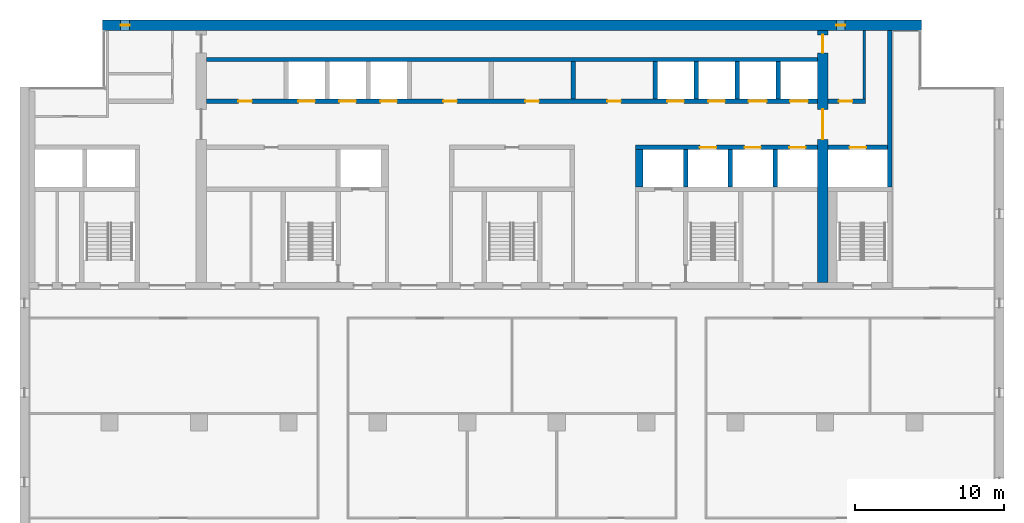
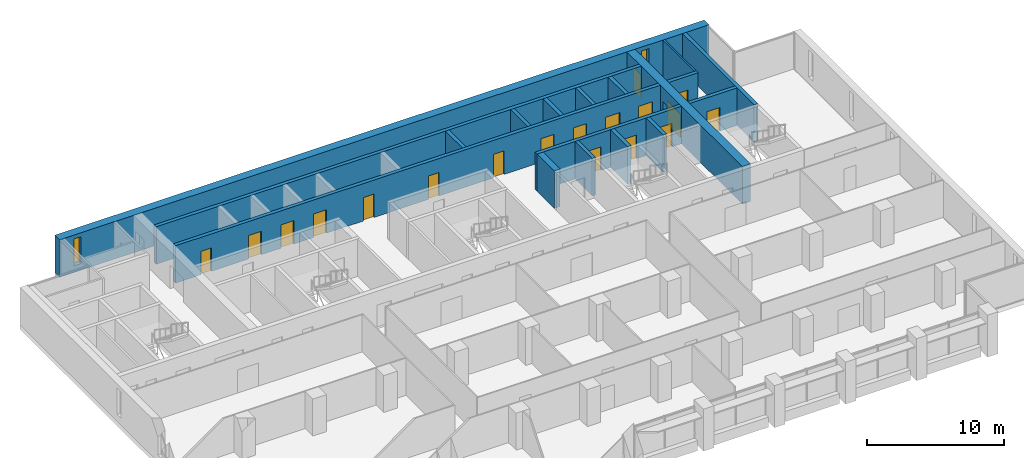
# One storey, part 11 of 17: 18 doors, 18 walls, 2 windows, 20 openings.
"""IFC4 building model written with IfcOpenShell, lengths in metres."""

from ifc_helpers import new_model, si_unit, direction, frame, frame_2d, origin, place, context, subcontext, project, spatial, rectangle, extrude, material, layer, layer_set, type_object, element, fill, save


model = new_model("IFC4")

# Units and contexts
model_context = context("Model", 3, precision=1e-05, world=origin(), true_north=direction((0.0, 1.0)))
body_context = subcontext(model_context, "Body", "Model", "MODEL_VIEW")
ifc_project = project(units=[si_unit("LENGTHUNIT", "METRE"), si_unit("AREAUNIT", "SQUARE_METRE"), si_unit("VOLUMEUNIT", "CUBIC_METRE"), si_unit("PLANEANGLEUNIT", "RADIAN"), si_unit("MASSUNIT", "GRAM", prefix="KILO")], contexts=[model_context])

# Site, building, storey
site_placement = place(None, origin())
site = spatial("IfcSite", under=ifc_project, at=site_placement, CompositionType="ELEMENT")
building_placement = place(site_placement, origin())
building = spatial("IfcBuilding", under=site, at=building_placement, Name="Calvaro Tower", CompositionType="ELEMENT")
storey_placement = place(building_placement, frame((0.0, 0.0, 185.5)))
storey = spatial("IfcBuildingStorey", under=building, at=storey_placement, Name="L46", CompositionType="ELEMENT", Elevation=185.5)

# Walls
ifc_material_1 = material(Name="Blockwork partition", Category="masonry")
ifc_layer_1 = layer(ifc_material_1, 0.14990234375)
ifc_layer_set_1 = layer_set([ifc_layer_1], Name="Blockwork partition")
wall_type_1 = type_object("IfcWallType", Name="Core partition 150 REI 120", PredefinedType="PARTITIONING", material=ifc_layer_set_1)
wall_1_placement = place(storey_placement, frame((62.625, 40.699951171875, 0.0), z_axis=(0.0, 0.0, 1.0), x_axis=(0.0, 1.0, 0.0)))
element("IfcWall", 1, at=wall_1_placement, inside=storey, type_object=wall_type_1, Name="Core partition", PredefinedType="PARTITIONING", context=body_context, shape_type="SweptSolid", body=[
    extrude(rectangle(XDim=4.60009765625, YDim=0.14990234375, at=frame_2d((2.300048828125, 0.0))), origin(), (0.0, 0.0, 1.0), 3.35009765625),
])
ifc_material_2 = material(Name="Blockwork partition", Category="masonry")
ifc_layer_2 = layer(ifc_material_2, 0.300048828125)
ifc_layer_set_2 = layer_set([ifc_layer_2], Name="Blockwork partition")
wall_type_2 = type_object("IfcWallType", Name="Core partition 300 EI 60", PredefinedType="PARTITIONING", material=ifc_layer_set_2)
wall_2_placement = place(storey_placement, frame((43.10009765625, 40.699951171875, 0.0), z_axis=(0.0, 0.0, 1.0), x_axis=(0.0, 1.0, 0.0)))
element("IfcWall", 2, at=wall_2_placement, inside=storey, type_object=wall_type_2, Name="Core partition", PredefinedType="PARTITIONING", context=body_context, shape_type="SweptSolid", body=[
    extrude(rectangle(XDim=2.5, YDim=0.300048828125, at=frame_2d((1.25, 0.0))), origin(), (0.0, 0.0, 1.0), 3.35009765625),
])

# Wall, opening, door
ifc_material_3 = material(Name="Blockwork partition", Category="masonry")
ifc_layer_3 = layer(ifc_material_3, 0.300048828125)
ifc_layer_set_3 = layer_set([ifc_layer_3], Name="Blockwork partition")
wall_type_3 = type_object("IfcWallType", Name="Core partition 300 REI 120", PredefinedType="PARTITIONING", material=ifc_layer_set_3)
wall_3_placement = place(storey_placement, frame((60.199951171875, 40.550048828125, 0.0), z_axis=(0.0, 0.0, 1.0), x_axis=(1.0, 0.0, 0.0)))
wall_3 = element("IfcWall", 3, at=wall_3_placement, inside=storey, type_object=wall_type_3, Name="Core partition", PredefinedType="PARTITIONING", context=body_context, shape_type="SweptSolid", body=[
    extrude(rectangle(XDim=2.5, YDim=0.300048828125, at=frame_2d((1.25, 0.0))), origin(), (0.0, 0.0, 1.0), 3.35009765625),
])
opening_1_placement = place(wall_3_placement, frame((0.72509765625, 0.0, 0.0)))
opening_1 = element("IfcOpeningElement", 4, at=opening_1_placement, cuts=wall_3, Name="Opening RD9E", PredefinedType="OPENING", context=body_context, shape_type="SweptSolid", body=[
    extrude(rectangle(XDim=0.89990234375, YDim=2.10009765625, at=frame_2d((0.449951171875, 1.050048828125))), frame((0.0, 0.159912109375, 0.0), z_axis=(0.0, -1.0, 0.0), x_axis=(1.0, 0.0, 0.0)), (0.0, 0.0, 1.0), 0.320068359375),
])
ifc_material_4 = material(Name="Steel door set", Category="steel")
door_type_1 = type_object("IfcDoorType", Name="Room door 900 FD60", OperationType="SINGLE_SWING_LEFT", PredefinedType="DOOR", material=ifc_material_4)
door_1_placement = place(opening_1_placement, origin())
door_1 = element("IfcDoor", 5, at=door_1_placement, inside=storey, type_object=door_type_1, Name="Room door", OperationType="SINGLE_SWING_LEFT", OverallHeight=2.10009765625, OverallWidth=0.89990234375, PredefinedType="DOOR", context=body_context, shape_type="SweptSolid", body=[
    extrude(rectangle(XDim=0.89990234375, YDim=2.10009765625, at=frame_2d((0.449951171875, 1.050048828125))), frame((0.0, 0.02490234375, 0.0), z_axis=(0.0, -1.0, 0.0), x_axis=(1.0, 0.0, 0.0)), (0.0, 0.0, 1.0), 0.050048828125),
])
fill(opening_1, door_1)

# Wall
ifc_material_5 = material(Name="Concrete C50/60", Category="concrete")
ifc_layer_4 = layer(ifc_material_5, 0.300048828125)
ifc_layer_set_4 = layer_set([ifc_layer_4], Name="Concrete C50/60")
wall_type_4 = type_object("IfcWallType", Name="Core wall C50/60 300", PredefinedType="SHEAR", material=ifc_layer_set_4)
wall_4_placement = place(storey_placement, frame((64.35009765625, 34.800048828125, 0.0), z_axis=(0.0, 0.0, 1.0), x_axis=(0.0, 1.0, 0.0)))
element("IfcWall", 6, at=wall_4_placement, inside=storey, type_object=wall_type_4, Name="Core wall, boundary", PredefinedType="SHEAR", context=body_context, shape_type="SweptSolid", body=[
    extrude(rectangle(XDim=10.5, YDim=0.300048828125, at=frame_2d((5.25, 0.0))), origin(), (0.0, 0.0, 1.0), 3.35009765625),
])

# Wall, openings, doors
wall_5_placement = place(storey_placement, frame((47.300048828125, 37.449951171875, 0.0), z_axis=(0.0, 0.0, 1.0), x_axis=(1.0, 0.0, 0.0)))
wall_5 = element("IfcWall", 7, at=wall_5_placement, inside=storey, type_object=wall_type_4, Name="Core wall, lift shaft", PredefinedType="SHEAR", context=body_context, shape_type="SweptSolid", body=[
    extrude(rectangle(XDim=12.199951171875, YDim=0.300048828125, at=frame_2d((6.10009765625, 0.0))), origin(), (0.0, 0.0, 1.0), 3.35009765625),
])
opening_2_placement = place(wall_5_placement, frame((4.300048828125, 0.0, 0.0)))
opening_2 = element("IfcOpeningElement", 8, at=opening_2_placement, cuts=wall_5, Name="Opening HR1", PredefinedType="OPENING", context=body_context, shape_type="SweptSolid", body=[
    extrude(rectangle(XDim=1.10009765625, YDim=2.10009765625, at=frame_2d((0.550048828125, 1.050048828125))), frame((0.0, 0.159912109375, 0.0), z_axis=(0.0, -1.0, 0.0), x_axis=(1.0, 0.0, 0.0)), (0.0, 0.0, 1.0), 0.320068359375),
])
opening_3_placement = place(wall_5_placement, frame((7.300048828125, 0.0, 0.0)))
opening_3 = element("IfcOpeningElement", 9, at=opening_3_placement, cuts=wall_5, Name="Opening HR2", PredefinedType="OPENING", context=body_context, shape_type="SweptSolid", body=[
    extrude(rectangle(XDim=1.10009765625, YDim=2.10009765625, at=frame_2d((0.550048828125, 1.050048828125))), frame((0.0, 0.159912109375, 0.0), z_axis=(0.0, -1.0, 0.0), x_axis=(1.0, 0.0, 0.0)), (0.0, 0.0, 1.0), 0.320068359375),
])
opening_4_placement = place(wall_5_placement, frame((10.300048828125, 0.0, 0.0)))
opening_4 = element("IfcOpeningElement", 10, at=opening_4_placement, cuts=wall_5, Name="Opening HR3", PredefinedType="OPENING", context=body_context, shape_type="SweptSolid", body=[
    extrude(rectangle(XDim=1.10009765625, YDim=2.10009765625, at=frame_2d((0.550048828125, 1.050048828125))), frame((0.0, 0.159912109375, 0.0), z_axis=(0.0, -1.0, 0.0), x_axis=(1.0, 0.0, 0.0)), (0.0, 0.0, 1.0), 0.320068359375),
])
ifc_material_6 = material(Name="Stainless steel", Category="steel")
door_type_2 = type_object("IfcDoorType", Name="Landing door 1100 E 60", OperationType="SLIDING_TO_LEFT", PredefinedType="DOOR", material=ifc_material_6)
door_2_placement = place(opening_2_placement, origin())
door_2 = element("IfcDoor", 11, at=door_2_placement, inside=storey, type_object=door_type_2, Name="Landing door HR1", OperationType="SLIDING_TO_LEFT", OverallHeight=2.10009765625, OverallWidth=1.10009765625, PredefinedType="DOOR", context=body_context, shape_type="SweptSolid", body=[
    extrude(rectangle(XDim=1.10009765625, YDim=2.10009765625, at=frame_2d((0.550048828125, 1.050048828125))), frame((0.0, 0.02490234375, 0.0), z_axis=(0.0, -1.0, 0.0), x_axis=(1.0, 0.0, 0.0)), (0.0, 0.0, 1.0), 0.050048828125),
])
fill(opening_2, door_2)
door_3_placement = place(opening_3_placement, origin())
door_3 = element("IfcDoor", 12, at=door_3_placement, inside=storey, type_object=door_type_2, Name="Landing door HR2", OperationType="SLIDING_TO_LEFT", OverallHeight=2.10009765625, OverallWidth=1.10009765625, PredefinedType="DOOR", context=body_context, shape_type="SweptSolid", body=[
    extrude(rectangle(XDim=1.10009765625, YDim=2.10009765625, at=frame_2d((0.550048828125, 1.050048828125))), frame((0.0, 0.02490234375, 0.0), z_axis=(0.0, -1.0, 0.0), x_axis=(1.0, 0.0, 0.0)), (0.0, 0.0, 1.0), 0.050048828125),
])
fill(opening_3, door_3)
door_4_placement = place(opening_4_placement, origin())
door_4 = element("IfcDoor", 13, at=door_4_placement, inside=storey, type_object=door_type_2, Name="Landing door HR3", OperationType="SLIDING_TO_LEFT", OverallHeight=2.10009765625, OverallWidth=1.10009765625, PredefinedType="DOOR", context=body_context, shape_type="SweptSolid", body=[
    extrude(rectangle(XDim=1.10009765625, YDim=2.10009765625, at=frame_2d((0.550048828125, 1.050048828125))), frame((0.0, 0.02490234375, 0.0), z_axis=(0.0, -1.0, 0.0), x_axis=(1.0, 0.0, 0.0)), (0.0, 0.0, 1.0), 0.050048828125),
])
fill(opening_4, door_4)

# Wall, opening, door
wall_6_placement = place(storey_placement, frame((60.199951171875, 37.449951171875, 0.0), z_axis=(0.0, 0.0, 1.0), x_axis=(1.0, 0.0, 0.0)))
wall_6 = element("IfcWall", 14, at=wall_6_placement, inside=storey, type_object=wall_type_4, Name="Core wall, lift shaft", PredefinedType="SHEAR", context=body_context, shape_type="SweptSolid", body=[
    extrude(rectangle(XDim=4.0, YDim=0.300048828125, at=frame_2d((2.0, 0.0))), origin(), (0.0, 0.0, 1.0), 3.35009765625),
])
opening_5_placement = place(wall_6_placement, frame((1.449951171875, 0.0, 0.0)))
opening_5 = element("IfcOpeningElement", 15, at=opening_5_placement, cuts=wall_6, Name="Opening FF3", PredefinedType="OPENING", context=body_context, shape_type="SweptSolid", body=[
    extrude(rectangle(XDim=1.10009765625, YDim=2.10009765625, at=frame_2d((0.550048828125, 1.050048828125))), frame((0.0, 0.159912109375, 0.0), z_axis=(0.0, -1.0, 0.0), x_axis=(1.0, 0.0, 0.0)), (0.0, 0.0, 1.0), 0.320068359375),
])
door_5_placement = place(opening_5_placement, origin())
door_5 = element("IfcDoor", 16, at=door_5_placement, inside=storey, type_object=door_type_2, Name="Landing door FF3", OperationType="SLIDING_TO_LEFT", OverallHeight=2.10009765625, OverallWidth=1.10009765625, PredefinedType="DOOR", context=body_context, shape_type="SweptSolid", body=[
    extrude(rectangle(XDim=1.10009765625, YDim=2.10009765625, at=frame_2d((0.550048828125, 1.050048828125))), frame((0.0, 0.02490234375, 0.0), z_axis=(0.0, -1.0, 0.0), x_axis=(1.0, 0.0, 0.0)), (0.0, 0.0, 1.0), 0.050048828125),
])
fill(opening_5, door_5)

# Wall
wall_7_placement = place(storey_placement, frame((50.64990234375, 34.800048828125, 0.0), z_axis=(0.0, 0.0, 1.0), x_axis=(0.0, 1.0, 0.0)))
element("IfcWall", 17, at=wall_7_placement, inside=storey, type_object=wall_type_4, Name="Core wall, lift shaft", PredefinedType="SHEAR", context=body_context, shape_type="SweptSolid", body=[
    extrude(rectangle(XDim=2.5, YDim=0.300048828125, at=frame_2d((1.25, 0.0))), origin(), (0.0, 0.0, 1.0), 3.35009765625),
])

# Wall, openings, doors
wall_8_placement = place(storey_placement, frame((18.5, 40.550048828125, 0.0), z_axis=(0.0, 0.0, 1.0), x_axis=(1.0, 0.0, 0.0)))
wall_8 = element("IfcWall", 18, at=wall_8_placement, inside=storey, type_object=wall_type_4, Name="Core wall, bay", PredefinedType="SHEAR", context=body_context, shape_type="SweptSolid", body=[
    extrude(rectangle(XDim=41.0, YDim=0.300048828125, at=frame_2d((20.5, 0.0))), origin(), (0.0, 0.0, 1.0), 3.35009765625),
])
opening_6_placement = place(wall_8_placement, frame((2.14990234375, 0.0, 0.0)))
opening_6 = element("IfcOpeningElement", 19, at=opening_6_placement, cuts=wall_8, Name="Opening RD9E", PredefinedType="OPENING", context=body_context, shape_type="SweptSolid", body=[
    extrude(rectangle(XDim=0.89990234375, YDim=2.10009765625, at=frame_2d((0.449951171875, 1.050048828125))), frame((0.0, 0.159912109375, 0.0), z_axis=(0.0, -1.0, 0.0), x_axis=(1.0, 0.0, 0.0)), (0.0, 0.0, 1.0), 0.320068359375),
])
opening_7_placement = place(wall_8_placement, frame((15.89990234375, 0.0, 0.0)))
opening_7 = element("IfcOpeningElement", 20, at=opening_7_placement, cuts=wall_8, Name="Opening RD9E", PredefinedType="OPENING", context=body_context, shape_type="SweptSolid", body=[
    extrude(rectangle(XDim=0.89990234375, YDim=2.10009765625, at=frame_2d((0.449951171875, 1.050048828125))), frame((0.0, 0.159912109375, 0.0), z_axis=(0.0, -1.0, 0.0), x_axis=(1.0, 0.0, 0.0)), (0.0, 0.0, 1.0), 0.320068359375),
])
opening_8_placement = place(wall_8_placement, frame((21.39990234375, 0.0, 0.0)))
opening_8 = element("IfcOpeningElement", 21, at=opening_8_placement, cuts=wall_8, Name="Opening RD9E", PredefinedType="OPENING", context=body_context, shape_type="SweptSolid", body=[
    extrude(rectangle(XDim=0.89990234375, YDim=2.10009765625, at=frame_2d((0.449951171875, 1.050048828125))), frame((0.0, 0.159912109375, 0.0), z_axis=(0.0, -1.0, 0.0), x_axis=(1.0, 0.0, 0.0)), (0.0, 0.0, 1.0), 0.320068359375),
])
opening_9_placement = place(wall_8_placement, frame((26.89990234375, 0.0, 0.0)))
opening_9 = element("IfcOpeningElement", 22, at=opening_9_placement, cuts=wall_8, Name="Opening RD9C", PredefinedType="OPENING", context=body_context, shape_type="SweptSolid", body=[
    extrude(rectangle(XDim=0.89990234375, YDim=2.10009765625, at=frame_2d((0.449951171875, 1.050048828125))), frame((0.0, 0.159912109375, 0.0), z_axis=(0.0, -1.0, 0.0), x_axis=(1.0, 0.0, 0.0)), (0.0, 0.0, 1.0), 0.320068359375),
])
opening_10_placement = place(wall_8_placement, frame((6.175048828125, 0.0, 0.0)))
opening_10 = element("IfcOpeningElement", 23, at=opening_10_placement, cuts=wall_8, Name="Opening HR4", PredefinedType="OPENING", context=body_context, shape_type="SweptSolid", body=[
    extrude(rectangle(XDim=1.10009765625, YDim=2.10009765625, at=frame_2d((0.550048828125, 1.050048828125))), frame((0.0, 0.159912109375, 0.0), z_axis=(0.0, -1.0, 0.0), x_axis=(1.0, 0.0, 0.0)), (0.0, 0.0, 1.0), 0.320068359375),
])
opening_11_placement = place(wall_8_placement, frame((8.925048828125, 0.0, 0.0)))
opening_11 = element("IfcOpeningElement", 24, at=opening_11_placement, cuts=wall_8, Name="Opening HR5", PredefinedType="OPENING", context=body_context, shape_type="SweptSolid", body=[
    extrude(rectangle(XDim=1.10009765625, YDim=2.10009765625, at=frame_2d((0.550048828125, 1.050048828125))), frame((0.0, 0.159912109375, 0.0), z_axis=(0.0, -1.0, 0.0), x_axis=(1.0, 0.0, 0.0)), (0.0, 0.0, 1.0), 0.320068359375),
])
opening_12_placement = place(wall_8_placement, frame((11.675048828125, 0.0, 0.0)))
opening_12 = element("IfcOpeningElement", 25, at=opening_12_placement, cuts=wall_8, Name="Opening HR6", PredefinedType="OPENING", context=body_context, shape_type="SweptSolid", body=[
    extrude(rectangle(XDim=1.10009765625, YDim=2.10009765625, at=frame_2d((0.550048828125, 1.050048828125))), frame((0.0, 0.159912109375, 0.0), z_axis=(0.0, -1.0, 0.0), x_axis=(1.0, 0.0, 0.0)), (0.0, 0.0, 1.0), 0.320068359375),
])
opening_13_placement = place(wall_8_placement, frame((30.925048828125, 0.0, 0.0)))
opening_13 = element("IfcOpeningElement", 26, at=opening_13_placement, cuts=wall_8, Name="Opening HR7", PredefinedType="OPENING", context=body_context, shape_type="SweptSolid", body=[
    extrude(rectangle(XDim=1.10009765625, YDim=2.10009765625, at=frame_2d((0.550048828125, 1.050048828125))), frame((0.0, 0.159912109375, 0.0), z_axis=(0.0, -1.0, 0.0), x_axis=(1.0, 0.0, 0.0)), (0.0, 0.0, 1.0), 0.320068359375),
])
opening_14_placement = place(wall_8_placement, frame((33.675048828125, 0.0, 0.0)))
opening_14 = element("IfcOpeningElement", 27, at=opening_14_placement, cuts=wall_8, Name="Opening HR8", PredefinedType="OPENING", context=body_context, shape_type="SweptSolid", body=[
    extrude(rectangle(XDim=1.10009765625, YDim=2.10009765625, at=frame_2d((0.550048828125, 1.050048828125))), frame((0.0, 0.159912109375, 0.0), z_axis=(0.0, -1.0, 0.0), x_axis=(1.0, 0.0, 0.0)), (0.0, 0.0, 1.0), 0.320068359375),
])
opening_15_placement = place(wall_8_placement, frame((36.375, 0.0, 0.0)))
opening_15 = element("IfcOpeningElement", 28, at=opening_15_placement, cuts=wall_8, Name="Opening SV1", PredefinedType="OPENING", context=body_context, shape_type="SweptSolid", body=[
    extrude(rectangle(XDim=1.199951171875, YDim=2.10009765625, at=frame_2d((0.60009765625, 1.050048828125))), frame((0.0, 0.159912109375, 0.0), z_axis=(0.0, -1.0, 0.0), x_axis=(1.0, 0.0, 0.0)), (0.0, 0.0, 1.0), 0.320068359375),
])
opening_16_placement = place(wall_8_placement, frame((39.14990234375, 0.0, 0.0)))
opening_16 = element("IfcOpeningElement", 29, at=opening_16_placement, cuts=wall_8, Name="Opening SV2", PredefinedType="OPENING", context=body_context, shape_type="SweptSolid", body=[
    extrude(rectangle(XDim=1.199951171875, YDim=2.10009765625, at=frame_2d((0.60009765625, 1.050048828125))), frame((0.0, 0.159912109375, 0.0), z_axis=(0.0, -1.0, 0.0), x_axis=(1.0, 0.0, 0.0)), (0.0, 0.0, 1.0), 0.320068359375),
])
door_6_placement = place(opening_10_placement, origin())
door_6 = element("IfcDoor", 30, at=door_6_placement, inside=storey, type_object=door_type_2, Name="Landing door HR4", OperationType="SLIDING_TO_LEFT", OverallHeight=2.10009765625, OverallWidth=1.10009765625, PredefinedType="DOOR", context=body_context, shape_type="SweptSolid", body=[
    extrude(rectangle(XDim=1.10009765625, YDim=2.10009765625, at=frame_2d((0.550048828125, 1.050048828125))), frame((0.0, 0.02490234375, 0.0), z_axis=(0.0, -1.0, 0.0), x_axis=(1.0, 0.0, 0.0)), (0.0, 0.0, 1.0), 0.050048828125),
])
fill(opening_10, door_6)
door_7_placement = place(opening_11_placement, origin())
door_7 = element("IfcDoor", 31, at=door_7_placement, inside=storey, type_object=door_type_2, Name="Landing door HR5", OperationType="SLIDING_TO_LEFT", OverallHeight=2.10009765625, OverallWidth=1.10009765625, PredefinedType="DOOR", context=body_context, shape_type="SweptSolid", body=[
    extrude(rectangle(XDim=1.10009765625, YDim=2.10009765625, at=frame_2d((0.550048828125, 1.050048828125))), frame((0.0, 0.02490234375, 0.0), z_axis=(0.0, -1.0, 0.0), x_axis=(1.0, 0.0, 0.0)), (0.0, 0.0, 1.0), 0.050048828125),
])
fill(opening_11, door_7)
door_8_placement = place(opening_12_placement, origin())
door_8 = element("IfcDoor", 32, at=door_8_placement, inside=storey, type_object=door_type_2, Name="Landing door HR6", OperationType="SLIDING_TO_LEFT", OverallHeight=2.10009765625, OverallWidth=1.10009765625, PredefinedType="DOOR", context=body_context, shape_type="SweptSolid", body=[
    extrude(rectangle(XDim=1.10009765625, YDim=2.10009765625, at=frame_2d((0.550048828125, 1.050048828125))), frame((0.0, 0.02490234375, 0.0), z_axis=(0.0, -1.0, 0.0), x_axis=(1.0, 0.0, 0.0)), (0.0, 0.0, 1.0), 0.050048828125),
])
fill(opening_12, door_8)
door_9_placement = place(opening_13_placement, origin())
door_9 = element("IfcDoor", 33, at=door_9_placement, inside=storey, type_object=door_type_2, Name="Landing door HR7", OperationType="SLIDING_TO_LEFT", OverallHeight=2.10009765625, OverallWidth=1.10009765625, PredefinedType="DOOR", context=body_context, shape_type="SweptSolid", body=[
    extrude(rectangle(XDim=1.10009765625, YDim=2.10009765625, at=frame_2d((0.550048828125, 1.050048828125))), frame((0.0, 0.02490234375, 0.0), z_axis=(0.0, -1.0, 0.0), x_axis=(1.0, 0.0, 0.0)), (0.0, 0.0, 1.0), 0.050048828125),
])
fill(opening_13, door_9)
door_10_placement = place(opening_14_placement, origin())
door_10 = element("IfcDoor", 34, at=door_10_placement, inside=storey, type_object=door_type_2, Name="Landing door HR8", OperationType="SLIDING_TO_LEFT", OverallHeight=2.10009765625, OverallWidth=1.10009765625, PredefinedType="DOOR", context=body_context, shape_type="SweptSolid", body=[
    extrude(rectangle(XDim=1.10009765625, YDim=2.10009765625, at=frame_2d((0.550048828125, 1.050048828125))), frame((0.0, 0.02490234375, 0.0), z_axis=(0.0, -1.0, 0.0), x_axis=(1.0, 0.0, 0.0)), (0.0, 0.0, 1.0), 0.050048828125),
])
fill(opening_14, door_10)
ifc_material_7 = material(Name="Stainless steel", Category="steel")
door_type_3 = type_object("IfcDoorType", Name="Landing door 1200 E 60", OperationType="SLIDING_TO_LEFT", PredefinedType="DOOR", material=ifc_material_7)
door_11_placement = place(opening_15_placement, origin())
door_11 = element("IfcDoor", 35, at=door_11_placement, inside=storey, type_object=door_type_3, Name="Landing door SV1", OperationType="SLIDING_TO_LEFT", OverallHeight=2.10009765625, OverallWidth=1.199951171875, PredefinedType="DOOR", context=body_context, shape_type="SweptSolid", body=[
    extrude(rectangle(XDim=1.199951171875, YDim=2.10009765625, at=frame_2d((0.60009765625, 1.050048828125))), frame((0.0, 0.02490234375, 0.0), z_axis=(0.0, -1.0, 0.0), x_axis=(1.0, 0.0, 0.0)), (0.0, 0.0, 1.0), 0.050048828125),
])
fill(opening_15, door_11)
door_12_placement = place(opening_16_placement, origin())
door_12 = element("IfcDoor", 36, at=door_12_placement, inside=storey, type_object=door_type_3, Name="Landing door SV2", OperationType="SLIDING_TO_LEFT", OverallHeight=2.10009765625, OverallWidth=1.199951171875, PredefinedType="DOOR", context=body_context, shape_type="SweptSolid", body=[
    extrude(rectangle(XDim=1.199951171875, YDim=2.10009765625, at=frame_2d((0.60009765625, 1.050048828125))), frame((0.0, 0.02490234375, 0.0), z_axis=(0.0, -1.0, 0.0), x_axis=(1.0, 0.0, 0.0)), (0.0, 0.0, 1.0), 0.050048828125),
])
fill(opening_16, door_12)
ifc_material_8 = material(Name="Steel door set", Category="steel")
door_type_4 = type_object("IfcDoorType", Name="Room door 900 FD30", OperationType="SINGLE_SWING_LEFT", PredefinedType="DOOR", material=ifc_material_8)
door_13_placement = place(opening_9_placement, origin())
door_13 = element("IfcDoor", 37, at=door_13_placement, inside=storey, type_object=door_type_4, Name="Room door", OperationType="SINGLE_SWING_LEFT", OverallHeight=2.10009765625, OverallWidth=0.89990234375, PredefinedType="DOOR", context=body_context, shape_type="SweptSolid", body=[
    extrude(rectangle(XDim=0.89990234375, YDim=2.10009765625, at=frame_2d((0.449951171875, 1.050048828125))), frame((0.0, 0.02490234375, 0.0), z_axis=(0.0, -1.0, 0.0), x_axis=(1.0, 0.0, 0.0)), (0.0, 0.0, 1.0), 0.050048828125),
])
fill(opening_9, door_13)
door_14_placement = place(opening_6_placement, origin())
door_14 = element("IfcDoor", 38, at=door_14_placement, inside=storey, type_object=door_type_1, Name="Room door", OperationType="SINGLE_SWING_RIGHT", OverallHeight=2.10009765625, OverallWidth=0.89990234375, PredefinedType="DOOR", context=body_context, shape_type="SweptSolid", body=[
    extrude(rectangle(XDim=0.89990234375, YDim=2.10009765625, at=frame_2d((0.449951171875, 1.050048828125))), frame((0.0, 0.02490234375, 0.0), z_axis=(0.0, -1.0, 0.0), x_axis=(1.0, 0.0, 0.0)), (0.0, 0.0, 1.0), 0.050048828125),
])
fill(opening_6, door_14)
door_15_placement = place(opening_7_placement, origin())
door_15 = element("IfcDoor", 39, at=door_15_placement, inside=storey, type_object=door_type_1, Name="Room door", OperationType="SINGLE_SWING_LEFT", OverallHeight=2.10009765625, OverallWidth=0.89990234375, PredefinedType="DOOR", context=body_context, shape_type="SweptSolid", body=[
    extrude(rectangle(XDim=0.89990234375, YDim=2.10009765625, at=frame_2d((0.449951171875, 1.050048828125))), frame((0.0, 0.02490234375, 0.0), z_axis=(0.0, -1.0, 0.0), x_axis=(1.0, 0.0, 0.0)), (0.0, 0.0, 1.0), 0.050048828125),
])
fill(opening_7, door_15)
door_16_placement = place(opening_8_placement, origin())
door_16 = element("IfcDoor", 40, at=door_16_placement, inside=storey, type_object=door_type_1, Name="Room door", OperationType="SINGLE_SWING_LEFT", OverallHeight=2.10009765625, OverallWidth=0.89990234375, PredefinedType="DOOR", context=body_context, shape_type="SweptSolid", body=[
    extrude(rectangle(XDim=0.89990234375, YDim=2.10009765625, at=frame_2d((0.449951171875, 1.050048828125))), frame((0.0, 0.02490234375, 0.0), z_axis=(0.0, -1.0, 0.0), x_axis=(1.0, 0.0, 0.0)), (0.0, 0.0, 1.0), 0.050048828125),
])
fill(opening_8, door_16)

# Walls
wall_9_placement = place(storey_placement, frame((18.5, 43.35009765625, 0.0), z_axis=(0.0, 0.0, 1.0), x_axis=(1.0, 0.0, 0.0)))
element("IfcWall", 41, at=wall_9_placement, inside=storey, type_object=wall_type_4, Name="Core wall, lift shaft", PredefinedType="SHEAR", context=body_context, shape_type="SweptSolid", body=[
    extrude(rectangle(XDim=41.0, YDim=0.300048828125, at=frame_2d((20.5, 0.0))), origin(), (0.0, 0.0, 1.0), 3.35009765625),
])
for number, where, z_axis, x_axis, name in (
    (42, (53.64990234375, 34.800048828125, 0.0), (0.0, 0.0, 1.0), (0.0, 1.0, 0.0), "Core wall, lift shaft"),
    (43, (56.64990234375, 34.800048828125, 0.0), (0.0, 0.0, 1.0), (0.0, 1.0, 0.0), "Core wall, lift shaft"),
    (44, (48.60009765625, 40.699951171875, 0.0), (0.0, 0.0, 1.0), (0.0, 1.0, 0.0), "Core wall, lift shaft"),
    (45, (51.35009765625, 40.699951171875, 0.0), (0.0, 0.0, 1.0), (0.0, 1.0, 0.0), "Core wall, lift shaft"),
    (46, (54.10009765625, 40.699951171875, 0.0), (0.0, 0.0, 1.0), (0.0, 1.0, 0.0), "Core wall, lift shaft"),
    (47, (56.85009765625, 40.699951171875, 0.0), (0.0, 0.0, 1.0), (0.0, 1.0, 0.0), "Core wall, lift shaft"),
):
    element("IfcWall", number, at=place(storey_placement, frame(where, z_axis=z_axis, x_axis=x_axis)), inside=storey, type_object=wall_type_4, Name=name, PredefinedType="SHEAR", context=body_context, shape_type="SweptSolid", body=[
        extrude(rectangle(XDim=2.5, YDim=0.300048828125, at=frame_2d((1.25, 0.0))), origin(), (0.0, 0.0, 1.0), 3.35009765625),
    ])
ifc_material_9 = material(Name="Concrete C50/60", Category="concrete")
ifc_layer_5 = layer(ifc_material_9, 0.5)
ifc_layer_set_5 = layer_set([ifc_layer_5], Name="Concrete C50/60")
wall_type_5 = type_object("IfcWallType", Name="Core wall C50/60 500", PredefinedType="SHEAR", material=ifc_layer_set_5)
wall_10_placement = place(storey_placement, frame((47.550048828125, 34.800048828125, 0.0), z_axis=(0.0, 0.0, 1.0), x_axis=(0.0, 1.0, 0.0)))
element("IfcWall", 48, at=wall_10_placement, inside=storey, type_object=wall_type_5, Name="Core wall, lift shaft", PredefinedType="SHEAR", context=body_context, shape_type="SweptSolid", body=[
    extrude(rectangle(XDim=2.5, YDim=0.5, at=frame_2d((1.25, 0.0))), origin(), (0.0, 0.0, 1.0), 3.35009765625),
])

# Wall, openings, doors
ifc_material_10 = material(Name="Concrete C50/60", Category="concrete")
ifc_layer_6 = layer(ifc_material_10, 0.699951171875)
ifc_layer_set_6 = layer_set([ifc_layer_6], Name="Concrete C50/60")
wall_type_6 = type_object("IfcWallType", Name="Core wall C50/60 700", PredefinedType="SHEAR", material=ifc_layer_set_6)
wall_11_placement = place(storey_placement, frame((59.85009765625, 28.39990234375, 0.0), z_axis=(0.0, 0.0, 1.0), x_axis=(0.0, 1.0, 0.0)))
wall_11 = element("IfcWall", 49, at=wall_11_placement, inside=storey, type_object=wall_type_6, Name="Core wall, cross shear wall", PredefinedType="SHEAR", context=body_context, shape_type="SweptSolid", body=[
    extrude(rectangle(XDim=16.900146484375, YDim=0.699951171875, at=frame_2d((8.4501953125, 0.0))), origin(), (0.0, 0.0, 1.0), 3.35009765625),
])
opening_17_placement = place(wall_11_placement, frame((9.60009765625, 0.0, 0.0)))
opening_17 = element("IfcOpeningElement", 50, at=opening_17_placement, cuts=wall_11, Name="Opening DD20D", PredefinedType="OPENING", context=body_context, shape_type="SweptSolid", body=[
    extrude(rectangle(XDim=2.0, YDim=2.10009765625, at=frame_2d((1.0, 1.050048828125))), frame((0.0, 0.35986328125, 0.0), z_axis=(0.0, -1.0, 0.0), x_axis=(1.0, 0.0, 0.0)), (0.0, 0.0, 1.0), 0.719970703125),
])
opening_18_placement = place(wall_11_placement, frame((15.39990234375, 0.0, 0.0)))
opening_18 = element("IfcOpeningElement", 51, at=opening_18_placement, cuts=wall_11, Name="Opening FD12C", PredefinedType="OPENING", context=body_context, shape_type="SweptSolid", body=[
    extrude(rectangle(XDim=1.199951171875, YDim=2.10009765625, at=frame_2d((0.60009765625, 1.050048828125))), frame((0.0, 0.35986328125, 0.0), z_axis=(0.0, -1.0, 0.0), x_axis=(1.0, 0.0, 0.0)), (0.0, 0.0, 1.0), 0.719970703125),
])
ifc_material_11 = material(Name="Steel door set", Category="steel")
door_type_5 = type_object("IfcDoorType", Name="Fire door 1200 FD30", OperationType="SINGLE_SWING_LEFT", PredefinedType="DOOR", material=ifc_material_11)
door_17_placement = place(opening_18_placement, origin())
door_17 = element("IfcDoor", 52, at=door_17_placement, inside=storey, type_object=door_type_5, Name="Fire door", OperationType="SINGLE_SWING_LEFT", OverallHeight=2.10009765625, OverallWidth=1.199951171875, PredefinedType="DOOR", context=body_context, shape_type="SweptSolid", body=[
    extrude(rectangle(XDim=1.199951171875, YDim=2.10009765625, at=frame_2d((0.60009765625, 1.050048828125))), frame((0.0, 0.02490234375, 0.0), z_axis=(0.0, -1.0, 0.0), x_axis=(1.0, 0.0, 0.0)), (0.0, 0.0, 1.0), 0.050048828125),
])
fill(opening_18, door_17)
ifc_material_12 = material(Name="Steel door set", Category="steel")
door_type_6 = type_object("IfcDoorType", Name="Lobby double door 2000 FD30S", OperationType="DOUBLE_DOOR_SINGLE_SWING", PredefinedType="DOOR", material=ifc_material_12)
door_18_placement = place(opening_17_placement, origin())
door_18 = element("IfcDoor", 53, at=door_18_placement, inside=storey, type_object=door_type_6, Name="Lobby double door", OperationType="DOUBLE_DOOR_SINGLE_SWING", OverallHeight=2.10009765625, OverallWidth=2.0, PredefinedType="DOOR", context=body_context, shape_type="SweptSolid", body=[
    extrude(rectangle(XDim=2.0, YDim=2.10009765625, at=frame_2d((1.0, 1.050048828125))), frame((0.0, 0.02490234375, 0.0), z_axis=(0.0, -1.0, 0.0), x_axis=(1.0, 0.0, 0.0)), (0.0, 0.0, 1.0), 0.050048828125),
])
fill(opening_17, door_18)

# Wall, openings, windows
ifc_material_13 = material(Name="Concrete C50/60", Category="concrete")
ifc_layer_7 = layer(ifc_material_13, 0.699951171875)
ifc_layer_set_7 = layer_set([ifc_layer_7], Name="Concrete C50/60")
wall_type_7 = type_object("IfcWallType", Name="Rear core wall 700 C50/60", PredefinedType="SHEAR", material=ifc_layer_set_7)
wall_12_placement = place(storey_placement, frame((11.550048828125, 45.64990234375, 0.0), z_axis=(0.0, 0.0, 1.0), x_axis=(1.0, 0.0, 0.0)))
wall_12 = element("IfcWall", 54, at=wall_12_placement, inside=storey, type_object=wall_type_7, Name="North core wall", PredefinedType="SHEAR", context=body_context, shape_type="SweptSolid", body=[
    extrude(rectangle(XDim=54.89990234375, YDim=0.699951171875, at=frame_2d((27.449951171875, 0.0))), origin(), (0.0, 0.0, 1.0), 3.35009765625),
])
opening_19_placement = place(wall_12_placement, frame((1.199951171875, 0.0, 0.60009765625)))
opening_19 = element("IfcOpeningElement", 55, at=opening_19_placement, cuts=wall_12, Name="Opening WN01", PredefinedType="OPENING", context=body_context, shape_type="SweptSolid", body=[
    extrude(rectangle(XDim=0.60009765625, YDim=2.39990234375, at=frame_2d((0.300048828125, 1.199951171875))), frame((0.0, 0.35986328125, 0.0), z_axis=(0.0, -1.0, 0.0), x_axis=(1.0, 0.0, 0.0)), (0.0, 0.0, 1.0), 0.719970703125),
])
opening_20_placement = place(wall_12_placement, frame((49.199951171875, 0.0, 0.60009765625)))
opening_20 = element("IfcOpeningElement", 56, at=opening_20_placement, cuts=wall_12, Name="Opening WN09", PredefinedType="OPENING", context=body_context, shape_type="SweptSolid", body=[
    extrude(rectangle(XDim=0.60009765625, YDim=2.39990234375, at=frame_2d((0.300048828125, 1.199951171875))), frame((0.0, 0.35986328125, 0.0), z_axis=(0.0, -1.0, 0.0), x_axis=(1.0, 0.0, 0.0)), (0.0, 0.0, 1.0), 0.719970703125),
])
ifc_material_14 = material(Name="Glass", Category="glass")
window_type = type_object("IfcWindowType", Name="Slit window 600 x 2400", PartitioningType="SINGLE_PANEL", PredefinedType="WINDOW", material=ifc_material_14)
window_1_placement = place(opening_19_placement, origin())
window_1 = element("IfcWindow", 57, at=window_1_placement, inside=storey, type_object=window_type, Name="Window WN01", OverallHeight=2.39990234375, OverallWidth=0.60009765625, PartitioningType="SINGLE_PANEL", PredefinedType="WINDOW", context=body_context, shape_type="SweptSolid", body=[
    extrude(rectangle(XDim=0.60009765625, YDim=2.39990234375, at=frame_2d((0.300048828125, 1.199951171875))), frame((0.0, 0.030029296875, 0.0), z_axis=(0.0, -1.0, 0.0), x_axis=(1.0, 0.0, 0.0)), (0.0, 0.0, 1.0), 0.06005859375),
])
fill(opening_19, window_1)
window_2_placement = place(opening_20_placement, origin())
window_2 = element("IfcWindow", 58, at=window_2_placement, inside=storey, type_object=window_type, Name="Window WN09", OverallHeight=2.39990234375, OverallWidth=0.60009765625, PartitioningType="SINGLE_PANEL", PredefinedType="WINDOW", context=body_context, shape_type="SweptSolid", body=[
    extrude(rectangle(XDim=0.60009765625, YDim=2.39990234375, at=frame_2d((0.300048828125, 1.199951171875))), frame((0.0, 0.030029296875, 0.0), z_axis=(0.0, -1.0, 0.0), x_axis=(1.0, 0.0, 0.0)), (0.0, 0.0, 1.0), 0.06005859375),
])
fill(opening_20, window_2)

save(model, "model.ifc")
